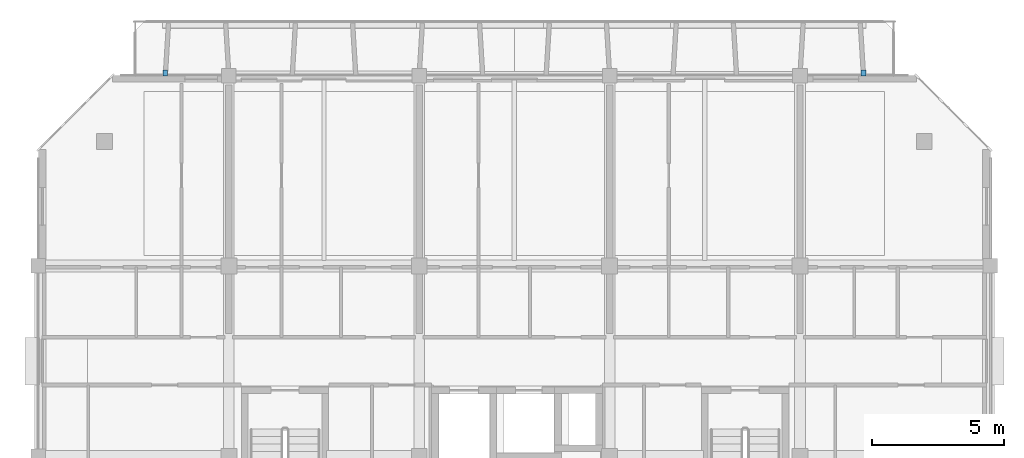
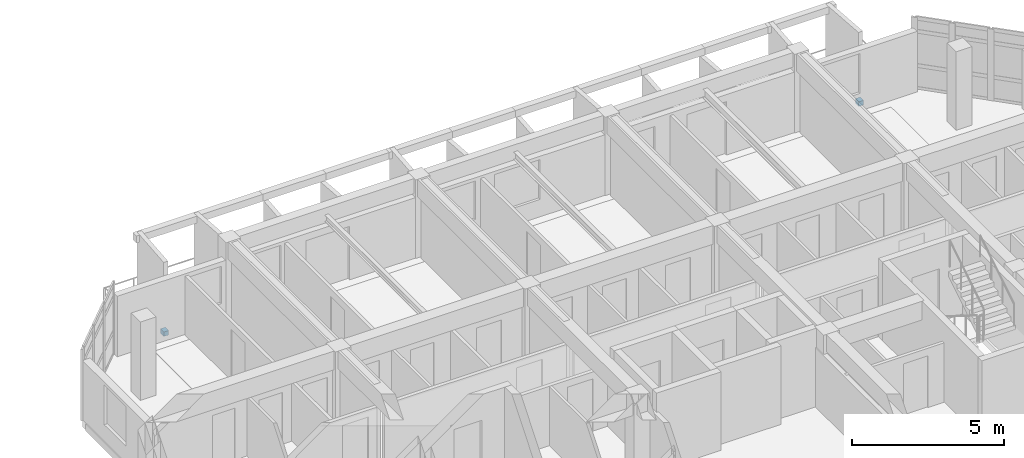
# One storey, part 51 of 64: 2 discrete accessories.
"""IFC4 building model written with IfcOpenShell, lengths in metres."""

import ifcopenshell
import ifcopenshell.guid

model = None  # the IFC model being written
_history = None  # IfcOwnerHistory: only IFC2X3 demands one
_inside = {}  # id of a spatial element -> (the spatial element, [elements in it])
_under = {}  # id of a project, library or spatial element -> (it, [spatial elements below it])
_declared = {}  # id of a project -> (the project, [libraries it declares])
_typed = {}  # id of a type object -> (the type object, [elements of that type])
_made_of = {}  # id of a material, layer set ... -> (it, [elements and type objects made of it])


def new_model(schema):
    """Start an empty IFC model of exactly this schema.

    Asked for "IFC4X3", IfcOpenShell would pick the latest addendum, in which some entities
    have other attributes; the version numbers below select the first issue.
    IFC2X3 requires an IfcOwnerHistory on every rooted entity: one is made here for all.
    """
    global model, _history
    if schema == "IFC4X3":
        model = ifcopenshell.file(schema_version=(4, 3, 0, 0))
    else:
        model = ifcopenshell.file(schema=schema)
    _inside.clear()
    _under.clear()
    _declared.clear()
    _typed.clear()
    _made_of.clear()
    _history = None
    if model.schema == "IFC2X3":
        org = make("IfcOrganization", Name="unknown")
        user = make(
            "IfcPersonAndOrganization",
            ThePerson=make("IfcPerson", FamilyName="unknown"),
            TheOrganization=org,
        )
        app = make(
            "IfcApplication",
            ApplicationDeveloper=org,
            Version="unknown",
            ApplicationFullName="unknown",
            ApplicationIdentifier="unknown",
        )
        _history = make(
            "IfcOwnerHistory",
            OwningUser=user,
            OwningApplication=app,
            ChangeAction="ADDED",
            CreationDate=0,
        )
    return model


def make(cls, **values):
    """One entity of the class cls with the attributes given. An attribute that is None is left unset."""
    return model.create_entity(
        cls, **{name: value for name, value in values.items() if value is not None}
    )


def rooted(cls, **values):
    """An entity with a GlobalId (a new one), such as an element, a storey or a relation."""
    return make(cls, GlobalId=ifcopenshell.guid.new(), OwnerHistory=_history, **values)


def si_unit(unit_type, name, prefix=None):
    """IfcSIUnit, for example si_unit("LENGTHUNIT", "METRE", prefix="MILLI")."""
    return make("IfcSIUnit", UnitType=unit_type, Prefix=prefix, Name=name)


def assignment(units):
    """IfcUnitAssignment: the units of a project."""
    return None if units is None else make("IfcUnitAssignment", Units=units)


def point(xyz):
    """IfcCartesianPoint."""
    return None if xyz is None else make("IfcCartesianPoint", Coordinates=xyz)


def direction(xyz):
    """IfcDirection."""
    return None if xyz is None else make("IfcDirection", DirectionRatios=xyz)


def frame(location, z_axis=None, x_axis=None):
    """IfcAxis2Placement3D, a coordinate frame: its origin and axes. An axis left out is left unset."""
    return make(
        "IfcAxis2Placement3D",
        Location=point(location),
        Axis=direction(z_axis),
        RefDirection=direction(x_axis),
    )


def frame_2d(location, x_axis=None):
    """IfcAxis2Placement2D, a coordinate frame in the plane: its origin and x axis."""
    return make(
        "IfcAxis2Placement2D", Location=point(location), RefDirection=direction(x_axis)
    )


def origin():
    """The frame at (0, 0, 0) with its axes left unset."""
    return frame((0.0, 0.0, 0.0))


def origin_2d():
    """The frame at (0, 0) in the plane with its x axis left unset."""
    return frame_2d((0.0, 0.0))


def place(relative_to, where):
    """IfcLocalPlacement: puts the frame where relative to a parent placement (None: the world)."""
    return make(
        "IfcLocalPlacement", PlacementRelTo=relative_to, RelativePlacement=where
    )


def context(
    kind, dimensions, precision=None, world=None, true_north=None, identifier=None
):
    """IfcGeometricRepresentationContext, for example the 3D "Model" context."""
    return make(
        "IfcGeometricRepresentationContext",
        ContextIdentifier=identifier,
        ContextType=kind,
        CoordinateSpaceDimension=dimensions,
        Precision=precision,
        WorldCoordinateSystem=world,
        TrueNorth=true_north,
    )


def subcontext(parent, identifier, kind, view, scale=None):
    """IfcGeometricRepresentationSubContext, for example "Body" below "Model"."""
    return make(
        "IfcGeometricRepresentationSubContext",
        ContextIdentifier=identifier,
        ContextType=kind,
        ParentContext=parent,
        TargetScale=scale,
        TargetView=view,
    )


def project(units=None, contexts=None):
    """IfcProject with its units and contexts."""
    return rooted(
        "IfcProject",
        Name="project",
        RepresentationContexts=contexts,
        UnitsInContext=assignment(units),
    )


def spatial(cls, under=None, at=None, **own):
    """A site, building, storey or space (cls), placed at a placement, below another one or the project."""
    s = rooted(cls, ObjectPlacement=at, **own)
    if under is not None:
        _under.setdefault(under.id(), (under, []))[1].append(s)
    return s


def profile(cls, at=None, kind="AREA", **sizes):
    """A parametric profile (cls). Its sizes go by their IFC names, for example OverallWidth=200.0."""
    return make(cls, ProfileType=kind, Position=at, **sizes)


def rectangle(**sizes):
    """IfcRectangleProfileDef."""
    return profile("IfcRectangleProfileDef", **sizes)


def extrude(swept, where, along, depth):
    """IfcExtrudedAreaSolid: the profile swept, set in the frame where, extruded along a direction by depth."""
    return make(
        "IfcExtrudedAreaSolid",
        SweptArea=swept,
        Position=where,
        ExtrudedDirection=direction(along),
        Depth=depth,
    )


def shape(context_of_items, identifier, shape_type, items):
    """IfcShapeRepresentation: the items that make up one representation, for example the "Body"."""
    return make(
        "IfcShapeRepresentation",
        ContextOfItems=context_of_items,
        RepresentationIdentifier=identifier,
        RepresentationType=shape_type,
        Items=items,
    )


def material(Name=None, Category=None):
    """IfcMaterial."""
    return make("IfcMaterial", Name=Name, Category=Category)


def made_of(thing, what):
    """Note that an element or type object is made of a material, layer set ...; save() writes the relation."""
    if what is not None:
        _made_of.setdefault(what.id(), (what, []))[1].append(thing)
    return thing


def type_object(cls, material=None, **own):
    """A type object (cls), such as IfcWallType, which elements share."""
    return made_of(rooted(cls, **own), material)


def element(
    cls,
    number,
    at=None,
    inside=None,
    cuts=None,
    type_object=None,
    material=None,
    context=None,
    identifier="Body",
    shape_type=None,
    held_by="IfcProductDefinitionShape",
    body=None,
    shapes=None,
    **own,
):
    """One element of the class cls, such as IfcWall. Its Tag is "e" and its number.

    at: its placement. inside: the storey or other place that contains it. cuts: it is an
    opening in that element (IfcRelVoidsElement). A single representation is given by context,
    identifier, shape_type and body (its items); several are given by shapes. held_by: the class
    of the entity that holds the representations. save() writes the other relations.
    """
    e = rooted(cls, Tag="e%d" % number, ObjectPlacement=at, **own)
    if body is not None:
        shapes = [shape(context, identifier, shape_type, body)]
    if shapes is not None:
        e.Representation = make(held_by, Representations=shapes)
    if inside is not None:
        _inside.setdefault(inside.id(), (inside, []))[1].append(e)
    if cuts is not None:
        rooted(
            "IfcRelVoidsElement", RelatingBuildingElement=cuts, RelatedOpeningElement=e
        )
    if type_object is not None:
        _typed.setdefault(type_object.id(), (type_object, []))[1].append(e)
    return made_of(e, material)


def aggregate(whole, parts):
    """IfcRelAggregates: a whole, such as a stair, and the parts it consists of."""
    return rooted("IfcRelAggregates", RelatingObject=whole, RelatedObjects=parts)


def save(model, path):
    """Write the relations noted so far, then the file.

    IfcRelAggregates (storeys below a building ...), IfcRelContainedInSpatialStructure (elements
    in a storey), IfcRelDefinesByType, IfcRelAssociatesMaterial and IfcRelDeclares: one each for
    every whole, place, type object, material and project.
    """
    for whole, parts in _under.values():
        aggregate(whole, parts)
    for where, things in _inside.values():
        rooted(
            "IfcRelContainedInSpatialStructure",
            RelatedElements=things,
            RelatingStructure=where,
        )
    for kind, things in _typed.values():
        rooted("IfcRelDefinesByType", RelatedObjects=things, RelatingType=kind)
    for what, things in _made_of.values():
        rooted("IfcRelAssociatesMaterial", RelatedObjects=things, RelatingMaterial=what)
    for by, libraries in _declared.values():
        rooted("IfcRelDeclares", RelatingContext=by, RelatedDefinitions=libraries)
    model.write(path)


model = new_model("IFC4")

# Units and contexts
model_context = context("Model", 3, precision=1e-05, world=origin(), true_north=direction((0.0, 1.0)))
body_context = subcontext(model_context, "Body", "Model", "MODEL_VIEW")
ifc_project = project(units=[si_unit("LENGTHUNIT", "METRE"), si_unit("AREAUNIT", "SQUARE_METRE"), si_unit("VOLUMEUNIT", "CUBIC_METRE"), si_unit("PLANEANGLEUNIT", "RADIAN"), si_unit("MASSUNIT", "GRAM", prefix="KILO")], contexts=[model_context])

# Site, building, storey
site_placement = place(None, origin())
site = spatial("IfcSite", under=ifc_project, at=site_placement, CompositionType="ELEMENT")
building_placement = place(site_placement, origin())
building = spatial("IfcBuilding", under=site, at=building_placement, Name="Ochrevale Crest", CompositionType="ELEMENT")
storey_placement = place(building_placement, frame((0.0, 0.0, 8.699951171875)))
storey = spatial("IfcBuildingStorey", under=building, at=storey_placement, Name="L02", CompositionType="ELEMENT", Elevation=8.699951171875)

# Discrete accessories
ifc_material = material(Name="Galvanised steel", Category="steel")
discrete_accessory_type = type_object("IfcDiscreteAccessoryType", Name="ACC-BRK-HC", PredefinedType="BRACKET", material=ifc_material)
for number, where, z_axis, x_axis, name in (
    (1, (134.39990234375, 93.699951171875, 0.0), (0.0, 0.0, 1.0), (1.0, 0.0, 0.0), "Block D L02 precast loggia corbel bracket"),
    (2, (160.800048828125, 93.699951171875, 0.0), (0.0, 0.0, 1.0), (1.0, 0.0, 0.0), "Block D L02 precast loggia corbel bracket"),
):
    element("IfcDiscreteAccessory", number, at=place(storey_placement, frame(where, z_axis=z_axis, x_axis=x_axis)), inside=storey, type_object=discrete_accessory_type, Name=name, PredefinedType="BRACKET", context=body_context, shape_type="SweptSolid", body=[
        extrude(rectangle(XDim=0.179931640625, YDim=0.219970703125, at=origin_2d()), origin(), (0.0, 0.0, 1.0), 0.179931640625),
    ])

save(model, "model.ifc")
